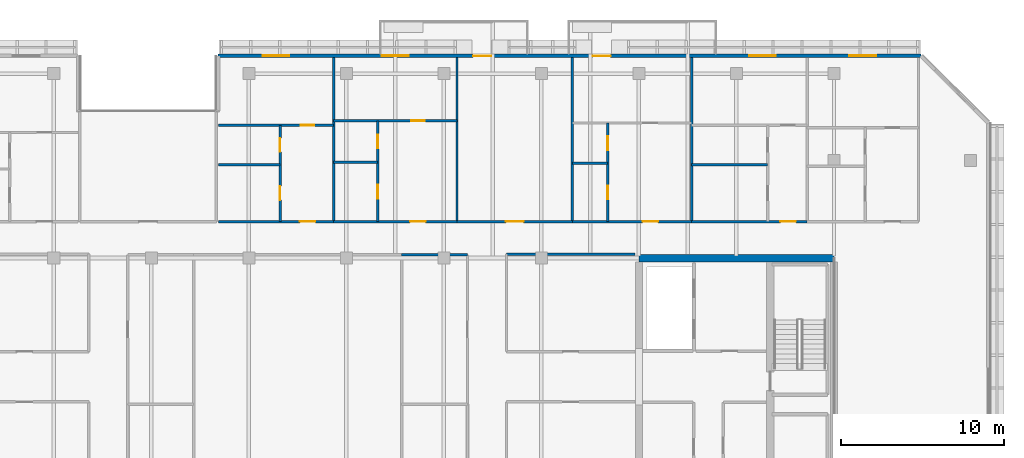
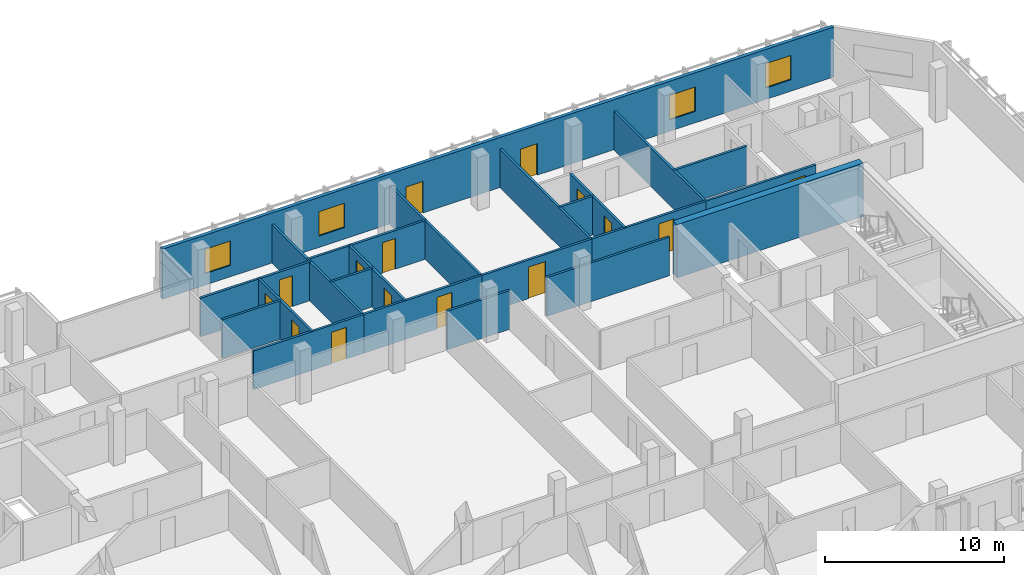
# One storey, part 10 of 17: 22 walls, 15 doors, 4 windows, 19 openings.
"""IFC4 building model written with IfcOpenShell, lengths in metres."""

import ifcopenshell
import ifcopenshell.guid

model = None  # the IFC model being written
_history = None  # IfcOwnerHistory: only IFC2X3 demands one
_inside = {}  # id of a spatial element -> (the spatial element, [elements in it])
_under = {}  # id of a project, library or spatial element -> (it, [spatial elements below it])
_declared = {}  # id of a project -> (the project, [libraries it declares])
_typed = {}  # id of a type object -> (the type object, [elements of that type])
_made_of = {}  # id of a material, layer set ... -> (it, [elements and type objects made of it])


def new_model(schema):
    """Start an empty IFC model of exactly this schema.

    Asked for "IFC4X3", IfcOpenShell would pick the latest addendum, in which some entities
    have other attributes; the version numbers below select the first issue.
    IFC2X3 requires an IfcOwnerHistory on every rooted entity: one is made here for all.
    """
    global model, _history
    if schema == "IFC4X3":
        model = ifcopenshell.file(schema_version=(4, 3, 0, 0))
    else:
        model = ifcopenshell.file(schema=schema)
    _inside.clear()
    _under.clear()
    _declared.clear()
    _typed.clear()
    _made_of.clear()
    _history = None
    if model.schema == "IFC2X3":
        org = make("IfcOrganization", Name="unknown")
        user = make(
            "IfcPersonAndOrganization",
            ThePerson=make("IfcPerson", FamilyName="unknown"),
            TheOrganization=org,
        )
        app = make(
            "IfcApplication",
            ApplicationDeveloper=org,
            Version="unknown",
            ApplicationFullName="unknown",
            ApplicationIdentifier="unknown",
        )
        _history = make(
            "IfcOwnerHistory",
            OwningUser=user,
            OwningApplication=app,
            ChangeAction="ADDED",
            CreationDate=0,
        )
    return model


def make(cls, **values):
    """One entity of the class cls with the attributes given. An attribute that is None is left unset."""
    return model.create_entity(
        cls, **{name: value for name, value in values.items() if value is not None}
    )


def rooted(cls, **values):
    """An entity with a GlobalId (a new one), such as an element, a storey or a relation."""
    return make(cls, GlobalId=ifcopenshell.guid.new(), OwnerHistory=_history, **values)


def si_unit(unit_type, name, prefix=None):
    """IfcSIUnit, for example si_unit("LENGTHUNIT", "METRE", prefix="MILLI")."""
    return make("IfcSIUnit", UnitType=unit_type, Prefix=prefix, Name=name)


def assignment(units):
    """IfcUnitAssignment: the units of a project."""
    return None if units is None else make("IfcUnitAssignment", Units=units)


def point(xyz):
    """IfcCartesianPoint."""
    return None if xyz is None else make("IfcCartesianPoint", Coordinates=xyz)


def direction(xyz):
    """IfcDirection."""
    return None if xyz is None else make("IfcDirection", DirectionRatios=xyz)


def frame(location, z_axis=None, x_axis=None):
    """IfcAxis2Placement3D, a coordinate frame: its origin and axes. An axis left out is left unset."""
    return make(
        "IfcAxis2Placement3D",
        Location=point(location),
        Axis=direction(z_axis),
        RefDirection=direction(x_axis),
    )


def frame_2d(location, x_axis=None):
    """IfcAxis2Placement2D, a coordinate frame in the plane: its origin and x axis."""
    return make(
        "IfcAxis2Placement2D", Location=point(location), RefDirection=direction(x_axis)
    )


def origin():
    """The frame at (0, 0, 0) with its axes left unset."""
    return frame((0.0, 0.0, 0.0))


def place(relative_to, where):
    """IfcLocalPlacement: puts the frame where relative to a parent placement (None: the world)."""
    return make(
        "IfcLocalPlacement", PlacementRelTo=relative_to, RelativePlacement=where
    )


def context(
    kind, dimensions, precision=None, world=None, true_north=None, identifier=None
):
    """IfcGeometricRepresentationContext, for example the 3D "Model" context."""
    return make(
        "IfcGeometricRepresentationContext",
        ContextIdentifier=identifier,
        ContextType=kind,
        CoordinateSpaceDimension=dimensions,
        Precision=precision,
        WorldCoordinateSystem=world,
        TrueNorth=true_north,
    )


def subcontext(parent, identifier, kind, view, scale=None):
    """IfcGeometricRepresentationSubContext, for example "Body" below "Model"."""
    return make(
        "IfcGeometricRepresentationSubContext",
        ContextIdentifier=identifier,
        ContextType=kind,
        ParentContext=parent,
        TargetScale=scale,
        TargetView=view,
    )


def project(units=None, contexts=None):
    """IfcProject with its units and contexts."""
    return rooted(
        "IfcProject",
        Name="project",
        RepresentationContexts=contexts,
        UnitsInContext=assignment(units),
    )


def spatial(cls, under=None, at=None, **own):
    """A site, building, storey or space (cls), placed at a placement, below another one or the project."""
    s = rooted(cls, ObjectPlacement=at, **own)
    if under is not None:
        _under.setdefault(under.id(), (under, []))[1].append(s)
    return s


def profile(cls, at=None, kind="AREA", **sizes):
    """A parametric profile (cls). Its sizes go by their IFC names, for example OverallWidth=200.0."""
    return make(cls, ProfileType=kind, Position=at, **sizes)


def rectangle(**sizes):
    """IfcRectangleProfileDef."""
    return profile("IfcRectangleProfileDef", **sizes)


def extrude(swept, where, along, depth):
    """IfcExtrudedAreaSolid: the profile swept, set in the frame where, extruded along a direction by depth."""
    return make(
        "IfcExtrudedAreaSolid",
        SweptArea=swept,
        Position=where,
        ExtrudedDirection=direction(along),
        Depth=depth,
    )


def shape(context_of_items, identifier, shape_type, items):
    """IfcShapeRepresentation: the items that make up one representation, for example the "Body"."""
    return make(
        "IfcShapeRepresentation",
        ContextOfItems=context_of_items,
        RepresentationIdentifier=identifier,
        RepresentationType=shape_type,
        Items=items,
    )


def material(Name=None, Category=None):
    """IfcMaterial."""
    return make("IfcMaterial", Name=Name, Category=Category)


def layer(
    of_material, thickness, ventilated=None, Name=None, Category=None, Priority=None
):
    """IfcMaterialLayer: one layer of a wall or slab, of a material (None: an air gap)."""
    return make(
        "IfcMaterialLayer",
        Material=of_material,
        LayerThickness=thickness,
        IsVentilated=ventilated,
        Name=Name,
        Category=Category,
        Priority=Priority,
    )


def layer_set(layers, Name=None):
    """IfcMaterialLayerSet."""
    return make("IfcMaterialLayerSet", MaterialLayers=layers, LayerSetName=Name)


def made_of(thing, what):
    """Note that an element or type object is made of a material, layer set ...; save() writes the relation."""
    if what is not None:
        _made_of.setdefault(what.id(), (what, []))[1].append(thing)
    return thing


def type_object(cls, material=None, **own):
    """A type object (cls), such as IfcWallType, which elements share."""
    return made_of(rooted(cls, **own), material)


def element(
    cls,
    number,
    at=None,
    inside=None,
    cuts=None,
    type_object=None,
    material=None,
    context=None,
    identifier="Body",
    shape_type=None,
    held_by="IfcProductDefinitionShape",
    body=None,
    shapes=None,
    **own,
):
    """One element of the class cls, such as IfcWall. Its Tag is "e" and its number.

    at: its placement. inside: the storey or other place that contains it. cuts: it is an
    opening in that element (IfcRelVoidsElement). A single representation is given by context,
    identifier, shape_type and body (its items); several are given by shapes. held_by: the class
    of the entity that holds the representations. save() writes the other relations.
    """
    e = rooted(cls, Tag="e%d" % number, ObjectPlacement=at, **own)
    if body is not None:
        shapes = [shape(context, identifier, shape_type, body)]
    if shapes is not None:
        e.Representation = make(held_by, Representations=shapes)
    if inside is not None:
        _inside.setdefault(inside.id(), (inside, []))[1].append(e)
    if cuts is not None:
        rooted(
            "IfcRelVoidsElement", RelatingBuildingElement=cuts, RelatedOpeningElement=e
        )
    if type_object is not None:
        _typed.setdefault(type_object.id(), (type_object, []))[1].append(e)
    return made_of(e, material)


def fill(opening, filler):
    """IfcRelFillsElement: the door or window that sits in an opening."""
    return rooted(
        "IfcRelFillsElement",
        RelatingOpeningElement=opening,
        RelatedBuildingElement=filler,
    )


def aggregate(whole, parts):
    """IfcRelAggregates: a whole, such as a stair, and the parts it consists of."""
    return rooted("IfcRelAggregates", RelatingObject=whole, RelatedObjects=parts)


def save(model, path):
    """Write the relations noted so far, then the file.

    IfcRelAggregates (storeys below a building ...), IfcRelContainedInSpatialStructure (elements
    in a storey), IfcRelDefinesByType, IfcRelAssociatesMaterial and IfcRelDeclares: one each for
    every whole, place, type object, material and project.
    """
    for whole, parts in _under.values():
        aggregate(whole, parts)
    for where, things in _inside.values():
        rooted(
            "IfcRelContainedInSpatialStructure",
            RelatedElements=things,
            RelatingStructure=where,
        )
    for kind, things in _typed.values():
        rooted("IfcRelDefinesByType", RelatedObjects=things, RelatingType=kind)
    for what, things in _made_of.values():
        rooted("IfcRelAssociatesMaterial", RelatedObjects=things, RelatingMaterial=what)
    for by, libraries in _declared.values():
        rooted("IfcRelDeclares", RelatingContext=by, RelatedDefinitions=libraries)
    model.write(path)


model = new_model("IFC4")

# Units and contexts
model_context = context("Model", 3, precision=1e-05, world=origin(), true_north=direction((0.0, 1.0)))
body_context = subcontext(model_context, "Body", "Model", "MODEL_VIEW")
ifc_project = project(units=[si_unit("LENGTHUNIT", "METRE"), si_unit("AREAUNIT", "SQUARE_METRE"), si_unit("VOLUMEUNIT", "CUBIC_METRE"), si_unit("PLANEANGLEUNIT", "RADIAN"), si_unit("MASSUNIT", "GRAM", prefix="KILO")], contexts=[model_context])

# Site, building, storey
site_placement = place(None, origin())
site = spatial("IfcSite", under=ifc_project, at=site_placement, CompositionType="ELEMENT")
building_placement = place(site_placement, origin())
building = spatial("IfcBuilding", under=site, at=building_placement, Name="Tanjung Sevakor Pilgrim Tower", CompositionType="ELEMENT")
storey_placement = place(building_placement, frame((0.0, 0.0, 219.1201171875)))
storey = spatial("IfcBuildingStorey", under=building, at=storey_placement, Name="L61", CompositionType="ELEMENT", Elevation=219.1201171875)

# Walls
ifc_material_1 = material(Name="Concrete C60/75", Category="concrete")
ifc_layer_1 = layer(ifc_material_1, 0.449951171875)
ifc_layer_set_1 = layer_set([ifc_layer_1], Name="WALL-CW-450")
wall_type_1 = type_object("IfcWallType", Name="WALL-CW-450", PredefinedType="SHEAR", material=ifc_layer_set_1)
wall_1_placement = place(storey_placement, frame((90.0, 42.60009765625, 0.0), z_axis=(0.0, 0.0, 1.0), x_axis=(-1.0, 0.0, 0.0)))
element("IfcWall", 1, at=wall_1_placement, inside=storey, type_object=wall_type_1, Name="L61 E Core North Shear Wall", PredefinedType="SHEAR", context=body_context, shape_type="SweptSolid", body=[
    extrude(rectangle(XDim=12.0, YDim=0.449951171875, at=frame_2d((6.0, 0.0))), origin(), (0.0, 0.0, 1.0), 3.6298828125),
])
ifc_material_2 = material(Name="Concrete C40/50", Category="concrete")
ifc_layer_2 = layer(ifc_material_2, 0.14990234375)
ifc_layer_set_2 = layer_set([ifc_layer_2], Name="WT-COMP-150")
wall_type_2 = type_object("IfcWallType", Name="WT-COMP-150", PredefinedType="SOLIDWALL", material=ifc_layer_set_2)
wall_2_placement = place(storey_placement, frame((69.85009765625, 42.85009765625, 0.0), z_axis=(0.0, 0.0, 1.0), x_axis=(1.0, 0.0, 0.0)))
element("IfcWall", 2, at=wall_2_placement, inside=storey, type_object=wall_type_2, Name="L61 Partition IW-L61-029", PredefinedType="SOLIDWALL", context=body_context, shape_type="SweptSolid", body=[
    extrude(rectangle(XDim=7.90478515625, YDim=0.14990234375, at=frame_2d((3.952392578125, 0.0))), origin(), (0.0, 0.0, 1.0), 2.6298828125),
])
wall_3_placement = place(storey_placement, frame((63.39990234375, 42.800048828125, 0.0), z_axis=(0.0, 0.0, 1.0), x_axis=(1.0, 0.0, 0.0)))
element("IfcWall", 3, at=wall_3_placement, inside=storey, type_object=wall_type_2, Name="L61 Partition IW-L61-043", PredefinedType="SOLIDWALL", context=body_context, shape_type="SweptSolid", body=[
    extrude(rectangle(XDim=4.050048828125, YDim=0.14990234375, at=frame_2d((2.02490234375, 0.0))), origin(), (0.0, 0.0, 1.0), 2.6298828125),
])
wall_4_placement = place(storey_placement, frame((59.218505859375, 44.85009765625, 0.0), z_axis=(0.0, 0.0, 1.0), x_axis=(0.0, 1.0, 0.0)))
element("IfcWall", 4, at=wall_4_placement, inside=storey, type_object=wall_type_2, Name="L61 Partition IW-L61-092", PredefinedType="SOLIDWALL", context=body_context, shape_type="SweptSolid", body=[
    extrude(rectangle(XDim=10.079833984375, YDim=0.14990234375, at=frame_2d((5.0400390625, 0.0))), origin(), (0.0, 0.0, 1.0), 2.6298828125),
])

# Wall, opening, door
wall_5_placement = place(storey_placement, frame((52.1201171875, 44.85009765625, 0.0), z_axis=(0.0, 0.0, 1.0), x_axis=(1.0, 0.0, 0.0)))
wall_5 = element("IfcWall", 5, at=wall_5_placement, inside=storey, type_object=wall_type_2, Name="L61 Partition IW-L61-096", PredefinedType="SOLIDWALL", context=body_context, shape_type="SweptSolid", body=[
    extrude(rectangle(XDim=7.098388671875, YDim=0.14990234375, at=frame_2d((3.54931640625, 0.0))), origin(), (0.0, 0.0, 1.0), 2.6298828125),
])
opening_1_placement = place(wall_5_placement, frame((5.01416015625, 0.0, 0.0)))
opening_1 = element("IfcOpeningElement", 6, at=opening_1_placement, cuts=wall_5, Name="Opening ID-FD2", PredefinedType="OPENING", context=body_context, shape_type="SweptSolid", body=[
    extrude(rectangle(XDim=0.949951171875, YDim=2.14990234375, at=frame_2d((0.47509765625, 1.074951171875))), frame((0.0, 0.0849609375, 0.0), z_axis=(0.0, -1.0, 0.0), x_axis=(1.0, 0.0, 0.0)), (0.0, 0.0, 1.0), 0.169921875),
])
ifc_material_3 = material(Name="Fire-Rated Timber", Category="wood")
door_type_1 = type_object("IfcDoorType", Name="DT-FIRE-950", OperationType="NOTDEFINED", PredefinedType="DOOR", material=ifc_material_3)
door_1_placement = place(opening_1_placement, origin())
door_1 = element("IfcDoor", 7, at=door_1_placement, inside=storey, type_object=door_type_1, Name="Residence Entrance", OperationType="SINGLE_SWING_RIGHT", OverallHeight=2.14990234375, OverallWidth=0.949951171875, PredefinedType="DOOR", context=body_context, shape_type="SweptSolid", body=[
    extrude(rectangle(XDim=0.949951171875, YDim=2.14990234375, at=frame_2d((0.47509765625, 1.074951171875))), frame((0.0, 0.02490234375, 0.0), z_axis=(0.0, -1.0, 0.0), x_axis=(1.0, 0.0, 0.0)), (0.0, 0.0, 1.0), 0.050048828125),
])
fill(opening_1, door_1)

# Wall
wall_6_placement = place(storey_placement, frame((66.806396484375, 44.85009765625, 0.0), z_axis=(0.0, 0.0, 1.0), x_axis=(0.0, 1.0, 0.0)))
element("IfcWall", 8, at=wall_6_placement, inside=storey, type_object=wall_type_2, Name="L61 Partition IW-L61-097", PredefinedType="SOLIDWALL", context=body_context, shape_type="SweptSolid", body=[
    extrude(rectangle(XDim=10.079833984375, YDim=0.14990234375, at=frame_2d((5.0400390625, 0.0))), origin(), (0.0, 0.0, 1.0), 2.6298828125),
])

# Wall, opening, door
wall_7_placement = place(storey_placement, frame((59.218505859375, 44.85009765625, 0.0), z_axis=(0.0, 0.0, 1.0), x_axis=(1.0, 0.0, 0.0)))
wall_7 = element("IfcWall", 9, at=wall_7_placement, inside=storey, type_object=wall_type_2, Name="L61 Partition IW-L61-101", PredefinedType="SOLIDWALL", context=body_context, shape_type="SweptSolid", body=[
    extrude(rectangle(XDim=7.587890625, YDim=0.14990234375, at=frame_2d((3.7939453125, 0.0))), origin(), (0.0, 0.0, 1.0), 2.6298828125),
])
opening_2_placement = place(wall_7_placement, frame((4.709716796875, 0.0, 0.0)))
opening_2 = element("IfcOpeningElement", 10, at=opening_2_placement, cuts=wall_7, Name="Opening ID-FD2", PredefinedType="OPENING", context=body_context, shape_type="SweptSolid", body=[
    extrude(rectangle(XDim=0.949951171875, YDim=2.14990234375, at=frame_2d((0.47509765625, 1.074951171875))), frame((0.0, 0.0849609375, 0.0), z_axis=(0.0, -1.0, 0.0), x_axis=(1.0, 0.0, 0.0)), (0.0, 0.0, 1.0), 0.169921875),
])
door_2_placement = place(opening_2_placement, origin())
door_2 = element("IfcDoor", 11, at=door_2_placement, inside=storey, type_object=door_type_1, Name="Residence Entrance", OperationType="SINGLE_SWING_RIGHT", OverallHeight=2.14990234375, OverallWidth=0.949951171875, PredefinedType="DOOR", context=body_context, shape_type="SweptSolid", body=[
    extrude(rectangle(XDim=0.949951171875, YDim=2.14990234375, at=frame_2d((0.47509765625, 1.074951171875))), frame((0.0, 0.02490234375, 0.0), z_axis=(0.0, -1.0, 0.0), x_axis=(1.0, 0.0, 0.0)), (0.0, 0.0, 1.0), 0.050048828125),
])
fill(opening_2, door_2)

# Wall
wall_8_placement = place(storey_placement, frame((73.90478515625, 44.85009765625, 0.0), z_axis=(0.0, 0.0, 1.0), x_axis=(0.0, 1.0, 0.0)))
element("IfcWall", 12, at=wall_8_placement, inside=storey, type_object=wall_type_2, Name="L61 Partition IW-L61-102", PredefinedType="SOLIDWALL", context=body_context, shape_type="SweptSolid", body=[
    extrude(rectangle(XDim=10.079833984375, YDim=0.14990234375, at=frame_2d((5.0400390625, 0.0))), origin(), (0.0, 0.0, 1.0), 2.6298828125),
])

# Wall, opening, door
wall_9_placement = place(storey_placement, frame((66.806396484375, 44.85009765625, 0.0), z_axis=(0.0, 0.0, 1.0), x_axis=(1.0, 0.0, 0.0)))
wall_9 = element("IfcWall", 13, at=wall_9_placement, inside=storey, type_object=wall_type_2, Name="L61 Partition IW-L61-103", PredefinedType="SOLIDWALL", context=body_context, shape_type="SweptSolid", body=[
    extrude(rectangle(XDim=7.098388671875, YDim=0.14990234375, at=frame_2d((3.54931640625, 0.0))), origin(), (0.0, 0.0, 1.0), 2.6298828125),
])
opening_3_placement = place(wall_9_placement, frame((2.999267578125, 0.0, 0.0)))
opening_3 = element("IfcOpeningElement", 14, at=opening_3_placement, cuts=wall_9, Name="Opening ID-FD0", PredefinedType="OPENING", context=body_context, shape_type="SweptSolid", body=[
    extrude(rectangle(XDim=1.10009765625, YDim=2.14990234375, at=frame_2d((0.550048828125, 1.074951171875))), frame((0.0, 0.0849609375, 0.0), z_axis=(0.0, -1.0, 0.0), x_axis=(1.0, 0.0, 0.0)), (0.0, 0.0, 1.0), 0.169921875),
])
ifc_material_4 = material(Name="Fire-Rated Steel S355J2", Category="steel")
door_type_2 = type_object("IfcDoorType", Name="DT-FIRE-1100", OperationType="NOTDEFINED", PredefinedType="DOOR", material=ifc_material_4)
door_3_placement = place(opening_3_placement, origin())
door_3 = element("IfcDoor", 15, at=door_3_placement, inside=storey, type_object=door_type_2, Name="Communal Lounge Door", OperationType="SINGLE_SWING_LEFT", OverallHeight=2.14990234375, OverallWidth=1.10009765625, PredefinedType="DOOR", context=body_context, shape_type="SweptSolid", body=[
    extrude(rectangle(XDim=1.10009765625, YDim=2.14990234375, at=frame_2d((0.550048828125, 1.074951171875))), frame((0.0, 0.02490234375, 0.0), z_axis=(0.0, -1.0, 0.0), x_axis=(1.0, 0.0, 0.0)), (0.0, 0.0, 1.0), 0.050048828125),
])
fill(opening_3, door_3)

# Wall
wall_10_placement = place(storey_placement, frame((81.248046875, 44.85009765625, 0.0), z_axis=(0.0, 0.0, 1.0), x_axis=(0.0, 1.0, 0.0)))
element("IfcWall", 16, at=wall_10_placement, inside=storey, type_object=wall_type_2, Name="L61 Partition IW-L61-104", PredefinedType="SOLIDWALL", context=body_context, shape_type="SweptSolid", body=[
    extrude(rectangle(XDim=10.079833984375, YDim=0.14990234375, at=frame_2d((5.0400390625, 0.0))), origin(), (0.0, 0.0, 1.0), 2.6298828125),
])

# Wall, opening, door
wall_11_placement = place(storey_placement, frame((73.90478515625, 44.85009765625, 0.0), z_axis=(0.0, 0.0, 1.0), x_axis=(1.0, 0.0, 0.0)))
wall_11 = element("IfcWall", 17, at=wall_11_placement, inside=storey, type_object=wall_type_2, Name="L61 Partition IW-L61-108", PredefinedType="SOLIDWALL", context=body_context, shape_type="SweptSolid", body=[
    extrude(rectangle(XDim=7.34326171875, YDim=0.14990234375, at=frame_2d((3.671630859375, 0.0))), origin(), (0.0, 0.0, 1.0), 2.6298828125),
])
opening_4_placement = place(wall_11_placement, frame((4.32421875, 0.0, 0.0)))
opening_4 = element("IfcOpeningElement", 18, at=opening_4_placement, cuts=wall_11, Name="Opening ID-FD2", PredefinedType="OPENING", context=body_context, shape_type="SweptSolid", body=[
    extrude(rectangle(XDim=0.949951171875, YDim=2.14990234375, at=frame_2d((0.47509765625, 1.074951171875))), frame((0.0, 0.0849609375, 0.0), z_axis=(0.0, -1.0, 0.0), x_axis=(1.0, 0.0, 0.0)), (0.0, 0.0, 1.0), 0.169921875),
])
door_4_placement = place(opening_4_placement, origin())
door_4 = element("IfcDoor", 19, at=door_4_placement, inside=storey, type_object=door_type_1, Name="Residence Entrance", OperationType="SINGLE_SWING_LEFT", OverallHeight=2.14990234375, OverallWidth=0.949951171875, PredefinedType="DOOR", context=body_context, shape_type="SweptSolid", body=[
    extrude(rectangle(XDim=0.949951171875, YDim=2.14990234375, at=frame_2d((0.47509765625, 1.074951171875))), frame((0.0, 0.02490234375, 0.0), z_axis=(0.0, -1.0, 0.0), x_axis=(1.0, 0.0, 0.0)), (0.0, 0.0, 1.0), 0.050048828125),
])
fill(opening_4, door_4)

wall_12_placement = place(storey_placement, frame((81.248046875, 44.85009765625, 0.0), z_axis=(0.0, 0.0, 1.0), x_axis=(1.0, 0.0, 0.0)))
wall_12 = element("IfcWall", 20, at=wall_12_placement, inside=storey, type_object=wall_type_2, Name="L61 Partition IW-L61-113", PredefinedType="SOLIDWALL", context=body_context, shape_type="SweptSolid", body=[
    extrude(rectangle(XDim=7.098388671875, YDim=0.14990234375, at=frame_2d((3.54931640625, 0.0))), origin(), (0.0, 0.0, 1.0), 2.6298828125),
])
opening_5_placement = place(wall_12_placement, frame((5.4501953125, 0.0, 0.0)))
opening_5 = element("IfcOpeningElement", 21, at=opening_5_placement, cuts=wall_12, Name="Opening ID-FD2", PredefinedType="OPENING", context=body_context, shape_type="SweptSolid", body=[
    extrude(rectangle(XDim=0.949951171875, YDim=2.14990234375, at=frame_2d((0.47509765625, 1.074951171875))), frame((0.0, 0.0849609375, 0.0), z_axis=(0.0, -1.0, 0.0), x_axis=(1.0, 0.0, 0.0)), (0.0, 0.0, 1.0), 0.169921875),
])
door_5_placement = place(opening_5_placement, origin())
door_5 = element("IfcDoor", 22, at=door_5_placement, inside=storey, type_object=door_type_1, Name="Residence Entrance", OperationType="SINGLE_SWING_LEFT", OverallHeight=2.14990234375, OverallWidth=0.949951171875, PredefinedType="DOOR", context=body_context, shape_type="SweptSolid", body=[
    extrude(rectangle(XDim=0.949951171875, YDim=2.14990234375, at=frame_2d((0.47509765625, 1.074951171875))), frame((0.0, 0.02490234375, 0.0), z_axis=(0.0, -1.0, 0.0), x_axis=(1.0, 0.0, 0.0)), (0.0, 0.0, 1.0), 0.050048828125),
])
fill(opening_5, door_5)

# Wall, openings, doors, windows
ifc_material_5 = material(Name="Precast concrete C45/55", Category="concrete")
ifc_layer_3 = layer(ifc_material_5, 0.219970703125)
ifc_layer_set_3 = layer_set([ifc_layer_3], Name="WT-EW-STN4")
wall_type_3 = type_object("IfcWallType", Name="WT-EW-STN4", PredefinedType="SOLIDWALL", material=ifc_layer_set_3)
wall_13_placement = place(storey_placement, frame((95.3544921875, 55.0400390625, 0.0), z_axis=(0.0, 0.0, 1.0), x_axis=(-1.0, 0.0, 0.0)))
wall_13 = element("IfcWall", 23, at=wall_13_placement, inside=storey, type_object=wall_type_3, Name="L61 MAIN Exterior Wall 9", PredefinedType="SOLIDWALL", context=body_context, shape_type="SweptSolid", body=[
    extrude(rectangle(XDim=43.244384765625, YDim=0.219970703125, at=frame_2d((21.6220703125, 0.0))), origin(), (0.0, 0.0, 1.0), 3.409912109375),
])
opening_6_placement = place(wall_13_placement, frame((26.454345703125, 0.0, 0.0)))
opening_6 = element("IfcOpeningElement", 24, at=opening_6_placement, cuts=wall_13, Name="Opening ED-BAL-1100", PredefinedType="OPENING", context=body_context, shape_type="SweptSolid", body=[
    extrude(rectangle(XDim=1.10009765625, YDim=2.14990234375, at=frame_2d((0.550048828125, 1.074951171875))), frame((0.0, 0.119873046875, 0.0), z_axis=(0.0, -1.0, 0.0), x_axis=(1.0, 0.0, 0.0)), (0.0, 0.0, 1.0), 0.239990234375),
])
opening_7_placement = place(wall_13_placement, frame((19.1044921875, 0.0, 0.0)))
opening_7 = element("IfcOpeningElement", 25, at=opening_7_placement, cuts=wall_13, Name="Opening ED-BAL-1100", PredefinedType="OPENING", context=body_context, shape_type="SweptSolid", body=[
    extrude(rectangle(XDim=1.10009765625, YDim=2.14990234375, at=frame_2d((0.550048828125, 1.074951171875))), frame((0.0, 0.119873046875, 0.0), z_axis=(0.0, -1.0, 0.0), x_axis=(1.0, 0.0, 0.0)), (0.0, 0.0, 1.0), 0.239990234375),
])
opening_8_placement = place(wall_13_placement, frame((38.860107421875, 0.0, 0.780029296875)))
opening_8 = element("IfcOpeningElement", 26, at=opening_8_placement, cuts=wall_13, Name="Opening WN-Z4-1660", PredefinedType="OPENING", context=body_context, shape_type="SweptSolid", body=[
    extrude(rectangle(XDim=1.64990234375, YDim=1.659912109375, at=frame_2d((0.824951171875, 0.830078125))), frame((0.0, 0.119873046875, 0.0), z_axis=(0.0, -1.0, 0.0), x_axis=(1.0, 0.0, 0.0)), (0.0, 0.0, 1.0), 0.239990234375),
])
opening_9_placement = place(wall_13_placement, frame((31.51708984375, 0.0, 0.780029296875)))
opening_9 = element("IfcOpeningElement", 27, at=opening_9_placement, cuts=wall_13, Name="Opening WN-Z4-1660", PredefinedType="OPENING", context=body_context, shape_type="SweptSolid", body=[
    extrude(rectangle(XDim=1.64990234375, YDim=1.659912109375, at=frame_2d((0.824951171875, 0.830078125))), frame((0.0, 0.119873046875, 0.0), z_axis=(0.0, -1.0, 0.0), x_axis=(1.0, 0.0, 0.0)), (0.0, 0.0, 1.0), 0.239990234375),
])
opening_10_placement = place(wall_13_placement, frame((8.93212890625, 0.0, 0.780029296875)))
opening_10 = element("IfcOpeningElement", 28, at=opening_10_placement, cuts=wall_13, Name="Opening WN-Z4-1660", PredefinedType="OPENING", context=body_context, shape_type="SweptSolid", body=[
    extrude(rectangle(XDim=1.64990234375, YDim=1.659912109375, at=frame_2d((0.824951171875, 0.830078125))), frame((0.0, 0.119873046875, 0.0), z_axis=(0.0, -1.0, 0.0), x_axis=(1.0, 0.0, 0.0)), (0.0, 0.0, 1.0), 0.239990234375),
])
opening_11_placement = place(wall_13_placement, frame((2.756103515625, 0.0, 0.780029296875)))
opening_11 = element("IfcOpeningElement", 29, at=opening_11_placement, cuts=wall_13, Name="Opening WN-Z4-1660", PredefinedType="OPENING", context=body_context, shape_type="SweptSolid", body=[
    extrude(rectangle(XDim=1.64990234375, YDim=1.659912109375, at=frame_2d((0.824951171875, 0.830078125))), frame((0.0, 0.119873046875, 0.0), z_axis=(0.0, -1.0, 0.0), x_axis=(1.0, 0.0, 0.0)), (0.0, 0.0, 1.0), 0.239990234375),
])
ifc_material_6 = material(Name="Anodised Aluminium and Laminated Glass", Category="aluminium")
door_type_3 = type_object("IfcDoorType", Name="DTYP-ED-BAL-1100", OperationType="NOTDEFINED", PredefinedType="DOOR", material=ifc_material_6)
door_6_placement = place(opening_6_placement, frame((1.10009765625, 0.0, 0.0), z_axis=(0.0, 0.0, 1.0), x_axis=(-1.0, 0.0, 0.0)))
door_6 = element("IfcDoor", 30, at=door_6_placement, inside=storey, type_object=door_type_3, Name="L61 Balcony Door MAIN-N2", OperationType="SINGLE_SWING_RIGHT", OverallHeight=2.14990234375, OverallWidth=1.10009765625, PredefinedType="DOOR", context=body_context, shape_type="SweptSolid", body=[
    extrude(rectangle(XDim=1.10009765625, YDim=2.14990234375, at=frame_2d((0.550048828125, 1.074951171875))), frame((0.0, 0.02490234375, 0.0), z_axis=(0.0, -1.0, 0.0), x_axis=(1.0, 0.0, 0.0)), (0.0, 0.0, 1.0), 0.050048828125),
])
fill(opening_6, door_6)
door_7_placement = place(opening_7_placement, frame((1.10009765625, 0.0, 0.0), z_axis=(0.0, 0.0, 1.0), x_axis=(-1.0, 0.0, 0.0)))
door_7 = element("IfcDoor", 31, at=door_7_placement, inside=storey, type_object=door_type_3, Name="L61 Balcony Door MAIN-N3", OperationType="SINGLE_SWING_LEFT", OverallHeight=2.14990234375, OverallWidth=1.10009765625, PredefinedType="DOOR", context=body_context, shape_type="SweptSolid", body=[
    extrude(rectangle(XDim=1.10009765625, YDim=2.14990234375, at=frame_2d((0.550048828125, 1.074951171875))), frame((0.0, 0.02490234375, 0.0), z_axis=(0.0, -1.0, 0.0), x_axis=(1.0, 0.0, 0.0)), (0.0, 0.0, 1.0), 0.050048828125),
])
fill(opening_7, door_7)
ifc_material_7 = material(Name="Thermally Broken Aluminium and Low-E Glass", Category="aluminium")
window_type = type_object("IfcWindowType", Name="WTYP-WN-Z4-1660", PartitioningType="DOUBLE_PANEL_VERTICAL", PredefinedType="WINDOW", material=ifc_material_7)
window_1_placement = place(opening_8_placement, origin())
window_1 = element("IfcWindow", 32, at=window_1_placement, inside=storey, type_object=window_type, Name="L61 Facade Window 01", OverallHeight=1.659912109375, OverallWidth=1.64990234375, PartitioningType="SINGLE_PANEL", PredefinedType="WINDOW", context=body_context, shape_type="SweptSolid", body=[
    extrude(rectangle(XDim=1.64990234375, YDim=1.659912109375, at=frame_2d((0.824951171875, 0.830078125))), frame((0.0, 0.030029296875, 0.0), z_axis=(0.0, -1.0, 0.0), x_axis=(1.0, 0.0, 0.0)), (0.0, 0.0, 1.0), 0.06005859375),
])
fill(opening_8, window_1)
window_2_placement = place(opening_9_placement, origin())
window_2 = element("IfcWindow", 33, at=window_2_placement, inside=storey, type_object=window_type, Name="L61 Facade Window 02", OverallHeight=1.659912109375, OverallWidth=1.64990234375, PartitioningType="SINGLE_PANEL", PredefinedType="WINDOW", context=body_context, shape_type="SweptSolid", body=[
    extrude(rectangle(XDim=1.64990234375, YDim=1.659912109375, at=frame_2d((0.824951171875, 0.830078125))), frame((0.0, 0.030029296875, 0.0), z_axis=(0.0, -1.0, 0.0), x_axis=(1.0, 0.0, 0.0)), (0.0, 0.0, 1.0), 0.06005859375),
])
fill(opening_9, window_2)
window_3_placement = place(opening_10_placement, origin())
window_3 = element("IfcWindow", 34, at=window_3_placement, inside=storey, type_object=window_type, Name="L61 Facade Window 03", OverallHeight=1.659912109375, OverallWidth=1.64990234375, PartitioningType="SINGLE_PANEL", PredefinedType="WINDOW", context=body_context, shape_type="SweptSolid", body=[
    extrude(rectangle(XDim=1.64990234375, YDim=1.659912109375, at=frame_2d((0.824951171875, 0.830078125))), frame((0.0, 0.030029296875, 0.0), z_axis=(0.0, -1.0, 0.0), x_axis=(1.0, 0.0, 0.0)), (0.0, 0.0, 1.0), 0.06005859375),
])
fill(opening_10, window_3)
window_4_placement = place(opening_11_placement, origin())
window_4 = element("IfcWindow", 35, at=window_4_placement, inside=storey, type_object=window_type, Name="L61 Facade Window 04", OverallHeight=1.659912109375, OverallWidth=1.64990234375, PartitioningType="SINGLE_PANEL", PredefinedType="WINDOW", context=body_context, shape_type="SweptSolid", body=[
    extrude(rectangle(XDim=1.64990234375, YDim=1.659912109375, at=frame_2d((0.824951171875, 0.830078125))), frame((0.0, 0.030029296875, 0.0), z_axis=(0.0, -1.0, 0.0), x_axis=(1.0, 0.0, 0.0)), (0.0, 0.0, 1.0), 0.06005859375),
])
fill(opening_11, window_4)

# Wall
ifc_material_8 = material(Name="Gypsum Board Partition", Category="gypsum board")
ifc_layer_4 = layer(ifc_material_8, 0.14990234375)
ifc_layer_set_4 = layer_set([ifc_layer_4], Name="WT-PART-150")
wall_type_4 = type_object("IfcWallType", Name="WT-PART-150", PredefinedType="PARTITIONING", material=ifc_layer_set_4)
wall_14_placement = place(storey_placement, frame((52.1201171875, 48.34521484375, 0.0), z_axis=(0.0, 0.0, 1.0), x_axis=(1.0, 0.0, 0.0)))
element("IfcWall", 36, at=wall_14_placement, inside=storey, type_object=wall_type_4, Name="L61 Partition IW-L61-093", PredefinedType="PARTITIONING", context=body_context, shape_type="SweptSolid", body=[
    extrude(rectangle(XDim=3.7998046875, YDim=0.14990234375, at=frame_2d((1.89990234375, 0.0))), origin(), (0.0, 0.0, 1.0), 2.6298828125),
])

# Wall, openings, doors
wall_15_placement = place(storey_placement, frame((55.919921875, 44.85009765625, 0.0), z_axis=(0.0, 0.0, 1.0), x_axis=(0.0, 1.0, 0.0)))
wall_15 = element("IfcWall", 37, at=wall_15_placement, inside=storey, type_object=wall_type_4, Name="L61 Partition IW-L61-094", PredefinedType="PARTITIONING", context=body_context, shape_type="SweptSolid", body=[
    extrude(rectangle(XDim=5.924072265625, YDim=0.14990234375, at=frame_2d((2.9619140625, 0.0))), origin(), (0.0, 0.0, 1.0), 2.6298828125),
])
opening_12_placement = place(wall_15_placement, frame((1.322509765625, 0.0, 0.0)))
opening_12 = element("IfcOpeningElement", 38, at=opening_12_placement, cuts=wall_15, Name="Opening ID-WC1", PredefinedType="OPENING", context=body_context, shape_type="SweptSolid", body=[
    extrude(rectangle(XDim=0.85009765625, YDim=2.10009765625, at=frame_2d((0.425048828125, 1.050048828125))), frame((0.0, 0.0849609375, 0.0), z_axis=(0.0, -1.0, 0.0), x_axis=(1.0, 0.0, 0.0)), (0.0, 0.0, 1.0), 0.169921875),
])
opening_13_placement = place(wall_15_placement, frame((4.28466796875, 0.0, 0.0)))
opening_13 = element("IfcOpeningElement", 39, at=opening_13_placement, cuts=wall_15, Name="Opening ID-WC1", PredefinedType="OPENING", context=body_context, shape_type="SweptSolid", body=[
    extrude(rectangle(XDim=0.85009765625, YDim=2.10009765625, at=frame_2d((0.425048828125, 1.050048828125))), frame((0.0, 0.0849609375, 0.0), z_axis=(0.0, -1.0, 0.0), x_axis=(1.0, 0.0, 0.0)), (0.0, 0.0, 1.0), 0.169921875),
])
ifc_material_9 = material(Name="Moisture-Resistant Timber", Category="wood")
door_type_4 = type_object("IfcDoorType", Name="DT-INT-850", OperationType="NOTDEFINED", PredefinedType="DOOR", material=ifc_material_9)
door_8_placement = place(opening_12_placement, origin())
door_8 = element("IfcDoor", 40, at=door_8_placement, inside=storey, type_object=door_type_4, Name="Residence Kitchenette Door", OperationType="SINGLE_SWING_LEFT", OverallHeight=2.10009765625, OverallWidth=0.85009765625, PredefinedType="DOOR", context=body_context, shape_type="SweptSolid", body=[
    extrude(rectangle(XDim=0.85009765625, YDim=2.10009765625, at=frame_2d((0.425048828125, 1.050048828125))), frame((0.0, 0.02490234375, 0.0), z_axis=(0.0, -1.0, 0.0), x_axis=(1.0, 0.0, 0.0)), (0.0, 0.0, 1.0), 0.050048828125),
])
fill(opening_12, door_8)
door_9_placement = place(opening_13_placement, origin())
door_9 = element("IfcDoor", 41, at=door_9_placement, inside=storey, type_object=door_type_4, Name="Residence Bathroom Door", OperationType="SINGLE_SWING_RIGHT", OverallHeight=2.10009765625, OverallWidth=0.85009765625, PredefinedType="DOOR", context=body_context, shape_type="SweptSolid", body=[
    extrude(rectangle(XDim=0.85009765625, YDim=2.10009765625, at=frame_2d((0.425048828125, 1.050048828125))), frame((0.0, 0.02490234375, 0.0), z_axis=(0.0, -1.0, 0.0), x_axis=(1.0, 0.0, 0.0)), (0.0, 0.0, 1.0), 0.050048828125),
])
fill(opening_13, door_9)

# Wall, opening, door
wall_16_placement = place(storey_placement, frame((52.1201171875, 50.774169921875, 0.0), z_axis=(0.0, 0.0, 1.0), x_axis=(1.0, 0.0, 0.0)))
wall_16 = element("IfcWall", 42, at=wall_16_placement, inside=storey, type_object=wall_type_4, Name="L61 Partition IW-L61-095", PredefinedType="PARTITIONING", context=body_context, shape_type="SweptSolid", body=[
    extrude(rectangle(XDim=7.098388671875, YDim=0.14990234375, at=frame_2d((3.54931640625, 0.0))), origin(), (0.0, 0.0, 1.0), 2.6298828125),
])
opening_14_placement = place(wall_16_placement, frame((5.064208984375, 0.0, 0.0)))
opening_14 = element("IfcOpeningElement", 43, at=opening_14_placement, cuts=wall_16, Name="Opening ID-WC1", PredefinedType="OPENING", context=body_context, shape_type="SweptSolid", body=[
    extrude(rectangle(XDim=0.85009765625, YDim=2.10009765625, at=frame_2d((0.425048828125, 1.050048828125))), frame((0.0, 0.0849609375, 0.0), z_axis=(0.0, -1.0, 0.0), x_axis=(1.0, 0.0, 0.0)), (0.0, 0.0, 1.0), 0.169921875),
])
door_10_placement = place(opening_14_placement, origin())
door_10 = element("IfcDoor", 44, at=door_10_placement, inside=storey, type_object=door_type_4, Name="Residence Bedroom Door", OperationType="SINGLE_SWING_LEFT", OverallHeight=2.10009765625, OverallWidth=0.85009765625, PredefinedType="DOOR", context=body_context, shape_type="SweptSolid", body=[
    extrude(rectangle(XDim=0.85009765625, YDim=2.10009765625, at=frame_2d((0.425048828125, 1.050048828125))), frame((0.0, 0.02490234375, 0.0), z_axis=(0.0, -1.0, 0.0), x_axis=(1.0, 0.0, 0.0)), (0.0, 0.0, 1.0), 0.050048828125),
])
fill(opening_14, door_10)

# Wall
wall_17_placement = place(storey_placement, frame((59.218505859375, 48.50341796875, 0.0), z_axis=(0.0, 0.0, 1.0), x_axis=(1.0, 0.0, 0.0)))
element("IfcWall", 45, at=wall_17_placement, inside=storey, type_object=wall_type_4, Name="L61 Partition IW-L61-098", PredefinedType="PARTITIONING", context=body_context, shape_type="SweptSolid", body=[
    extrude(rectangle(XDim=2.701416015625, YDim=0.14990234375, at=frame_2d((1.3505859375, 0.0))), origin(), (0.0, 0.0, 1.0), 2.6298828125),
])

# Wall, openings, doors
wall_18_placement = place(storey_placement, frame((61.919921875, 44.85009765625, 0.0), z_axis=(0.0, 0.0, 1.0), x_axis=(0.0, 1.0, 0.0)))
wall_18 = element("IfcWall", 46, at=wall_18_placement, inside=storey, type_object=wall_type_4, Name="L61 Partition IW-L61-099", PredefinedType="PARTITIONING", context=body_context, shape_type="SweptSolid", body=[
    extrude(rectangle(XDim=6.192138671875, YDim=0.14990234375, at=frame_2d((3.09619140625, 0.0))), origin(), (0.0, 0.0, 1.0), 2.6298828125),
])
opening_15_placement = place(wall_18_placement, frame((1.40185546875, 0.0, 0.0)))
opening_15 = element("IfcOpeningElement", 47, at=opening_15_placement, cuts=wall_18, Name="Opening ID-WC1", PredefinedType="OPENING", context=body_context, shape_type="SweptSolid", body=[
    extrude(rectangle(XDim=0.85009765625, YDim=2.10009765625, at=frame_2d((0.425048828125, 1.050048828125))), frame((0.0, 0.0849609375, 0.0), z_axis=(0.0, -1.0, 0.0), x_axis=(1.0, 0.0, 0.0)), (0.0, 0.0, 1.0), 0.169921875),
])
opening_16_placement = place(wall_18_placement, frame((4.497802734375, 0.0, 0.0)))
opening_16 = element("IfcOpeningElement", 48, at=opening_16_placement, cuts=wall_18, Name="Opening ID-WC1", PredefinedType="OPENING", context=body_context, shape_type="SweptSolid", body=[
    extrude(rectangle(XDim=0.85009765625, YDim=2.10009765625, at=frame_2d((0.425048828125, 1.050048828125))), frame((0.0, 0.0849609375, 0.0), z_axis=(0.0, -1.0, 0.0), x_axis=(1.0, 0.0, 0.0)), (0.0, 0.0, 1.0), 0.169921875),
])
door_11_placement = place(opening_15_placement, origin())
door_11 = element("IfcDoor", 49, at=door_11_placement, inside=storey, type_object=door_type_4, Name="Residence Kitchenette Door", OperationType="SINGLE_SWING_LEFT", OverallHeight=2.10009765625, OverallWidth=0.85009765625, PredefinedType="DOOR", context=body_context, shape_type="SweptSolid", body=[
    extrude(rectangle(XDim=0.85009765625, YDim=2.10009765625, at=frame_2d((0.425048828125, 1.050048828125))), frame((0.0, 0.02490234375, 0.0), z_axis=(0.0, -1.0, 0.0), x_axis=(1.0, 0.0, 0.0)), (0.0, 0.0, 1.0), 0.050048828125),
])
fill(opening_15, door_11)
door_12_placement = place(opening_16_placement, origin())
door_12 = element("IfcDoor", 50, at=door_12_placement, inside=storey, type_object=door_type_4, Name="Residence Bathroom Door", OperationType="SINGLE_SWING_RIGHT", OverallHeight=2.10009765625, OverallWidth=0.85009765625, PredefinedType="DOOR", context=body_context, shape_type="SweptSolid", body=[
    extrude(rectangle(XDim=0.85009765625, YDim=2.10009765625, at=frame_2d((0.425048828125, 1.050048828125))), frame((0.0, 0.02490234375, 0.0), z_axis=(0.0, -1.0, 0.0), x_axis=(1.0, 0.0, 0.0)), (0.0, 0.0, 1.0), 0.050048828125),
])
fill(opening_16, door_12)

# Wall, opening, door
wall_19_placement = place(storey_placement, frame((59.218505859375, 51.042236328125, 0.0), z_axis=(0.0, 0.0, 1.0), x_axis=(1.0, 0.0, 0.0)))
wall_19 = element("IfcWall", 51, at=wall_19_placement, inside=storey, type_object=wall_type_4, Name="L61 Partition IW-L61-100", PredefinedType="PARTITIONING", context=body_context, shape_type="SweptSolid", body=[
    extrude(rectangle(XDim=7.587890625, YDim=0.14990234375, at=frame_2d((3.7939453125, 0.0))), origin(), (0.0, 0.0, 1.0), 2.6298828125),
])
opening_17_placement = place(wall_19_placement, frame((4.759765625, 0.0, 0.0)))
opening_17 = element("IfcOpeningElement", 52, at=opening_17_placement, cuts=wall_19, Name="Opening ID-WC1", PredefinedType="OPENING", context=body_context, shape_type="SweptSolid", body=[
    extrude(rectangle(XDim=0.85009765625, YDim=2.10009765625, at=frame_2d((0.425048828125, 1.050048828125))), frame((0.0, 0.0849609375, 0.0), z_axis=(0.0, -1.0, 0.0), x_axis=(1.0, 0.0, 0.0)), (0.0, 0.0, 1.0), 0.169921875),
])
door_13_placement = place(opening_17_placement, origin())
door_13 = element("IfcDoor", 53, at=door_13_placement, inside=storey, type_object=door_type_4, Name="Residence Bedroom Door", OperationType="SINGLE_SWING_LEFT", OverallHeight=2.10009765625, OverallWidth=0.85009765625, PredefinedType="DOOR", context=body_context, shape_type="SweptSolid", body=[
    extrude(rectangle(XDim=0.85009765625, YDim=2.10009765625, at=frame_2d((0.425048828125, 1.050048828125))), frame((0.0, 0.02490234375, 0.0), z_axis=(0.0, -1.0, 0.0), x_axis=(1.0, 0.0, 0.0)), (0.0, 0.0, 1.0), 0.050048828125),
])
fill(opening_17, door_13)

# Wall
wall_20_placement = place(storey_placement, frame((73.90478515625, 48.427001953125, 0.0), z_axis=(0.0, 0.0, 1.0), x_axis=(1.0, 0.0, 0.0)))
element("IfcWall", 54, at=wall_20_placement, inside=storey, type_object=wall_type_4, Name="L61 Partition IW-L61-105", PredefinedType="PARTITIONING", context=body_context, shape_type="SweptSolid", body=[
    extrude(rectangle(XDim=2.17529296875, YDim=0.14990234375, at=frame_2d((1.087646484375, 0.0))), origin(), (0.0, 0.0, 1.0), 2.6298828125),
])

# Wall, openings, doors
wall_21_placement = place(storey_placement, frame((76.080078125, 44.85009765625, 0.0), z_axis=(0.0, 0.0, 1.0), x_axis=(0.0, 1.0, 0.0)))
wall_21 = element("IfcWall", 55, at=wall_21_placement, inside=storey, type_object=wall_type_4, Name="L61 Partition IW-L61-106", PredefinedType="PARTITIONING", context=body_context, shape_type="SweptSolid", body=[
    extrude(rectangle(XDim=6.0625, YDim=0.14990234375, at=frame_2d((3.03125, 0.0))), origin(), (0.0, 0.0, 1.0), 2.6298828125),
])
opening_18_placement = place(wall_21_placement, frame((1.363525390625, 0.0, 0.0)))
opening_18 = element("IfcOpeningElement", 56, at=opening_18_placement, cuts=wall_21, Name="Opening ID-WC1", PredefinedType="OPENING", context=body_context, shape_type="SweptSolid", body=[
    extrude(rectangle(XDim=0.85009765625, YDim=2.10009765625, at=frame_2d((0.425048828125, 1.050048828125))), frame((0.0, 0.0849609375, 0.0), z_axis=(0.0, -1.0, 0.0), x_axis=(1.0, 0.0, 0.0)), (0.0, 0.0, 1.0), 0.169921875),
])
opening_19_placement = place(wall_21_placement, frame((4.394775390625, 0.0, 0.0)))
opening_19 = element("IfcOpeningElement", 57, at=opening_19_placement, cuts=wall_21, Name="Opening ID-WC1", PredefinedType="OPENING", context=body_context, shape_type="SweptSolid", body=[
    extrude(rectangle(XDim=0.85009765625, YDim=2.10009765625, at=frame_2d((0.425048828125, 1.050048828125))), frame((0.0, 0.0849609375, 0.0), z_axis=(0.0, -1.0, 0.0), x_axis=(1.0, 0.0, 0.0)), (0.0, 0.0, 1.0), 0.169921875),
])
door_14_placement = place(opening_18_placement, origin())
door_14 = element("IfcDoor", 58, at=door_14_placement, inside=storey, type_object=door_type_4, Name="Residence Kitchenette Door", OperationType="SINGLE_SWING_RIGHT", OverallHeight=2.10009765625, OverallWidth=0.85009765625, PredefinedType="DOOR", context=body_context, shape_type="SweptSolid", body=[
    extrude(rectangle(XDim=0.85009765625, YDim=2.10009765625, at=frame_2d((0.425048828125, 1.050048828125))), frame((0.0, 0.02490234375, 0.0), z_axis=(0.0, -1.0, 0.0), x_axis=(1.0, 0.0, 0.0)), (0.0, 0.0, 1.0), 0.050048828125),
])
fill(opening_18, door_14)
door_15_placement = place(opening_19_placement, origin())
door_15 = element("IfcDoor", 59, at=door_15_placement, inside=storey, type_object=door_type_4, Name="Residence Bathroom Door", OperationType="SINGLE_SWING_LEFT", OverallHeight=2.10009765625, OverallWidth=0.85009765625, PredefinedType="DOOR", context=body_context, shape_type="SweptSolid", body=[
    extrude(rectangle(XDim=0.85009765625, YDim=2.10009765625, at=frame_2d((0.425048828125, 1.050048828125))), frame((0.0, 0.02490234375, 0.0), z_axis=(0.0, -1.0, 0.0), x_axis=(1.0, 0.0, 0.0)), (0.0, 0.0, 1.0), 0.050048828125),
])
fill(opening_19, door_15)

# Wall
wall_22_placement = place(storey_placement, frame((81.248046875, 48.34521484375, 0.0), z_axis=(0.0, 0.0, 1.0), x_axis=(1.0, 0.0, 0.0)))
element("IfcWall", 60, at=wall_22_placement, inside=storey, type_object=wall_type_4, Name="L61 Partition IW-L61-110", PredefinedType="PARTITIONING", context=body_context, shape_type="SweptSolid", body=[
    extrude(rectangle(XDim=4.671875, YDim=0.14990234375, at=frame_2d((2.3359375, 0.0))), origin(), (0.0, 0.0, 1.0), 2.6298828125),
])

save(model, "model.ifc")
